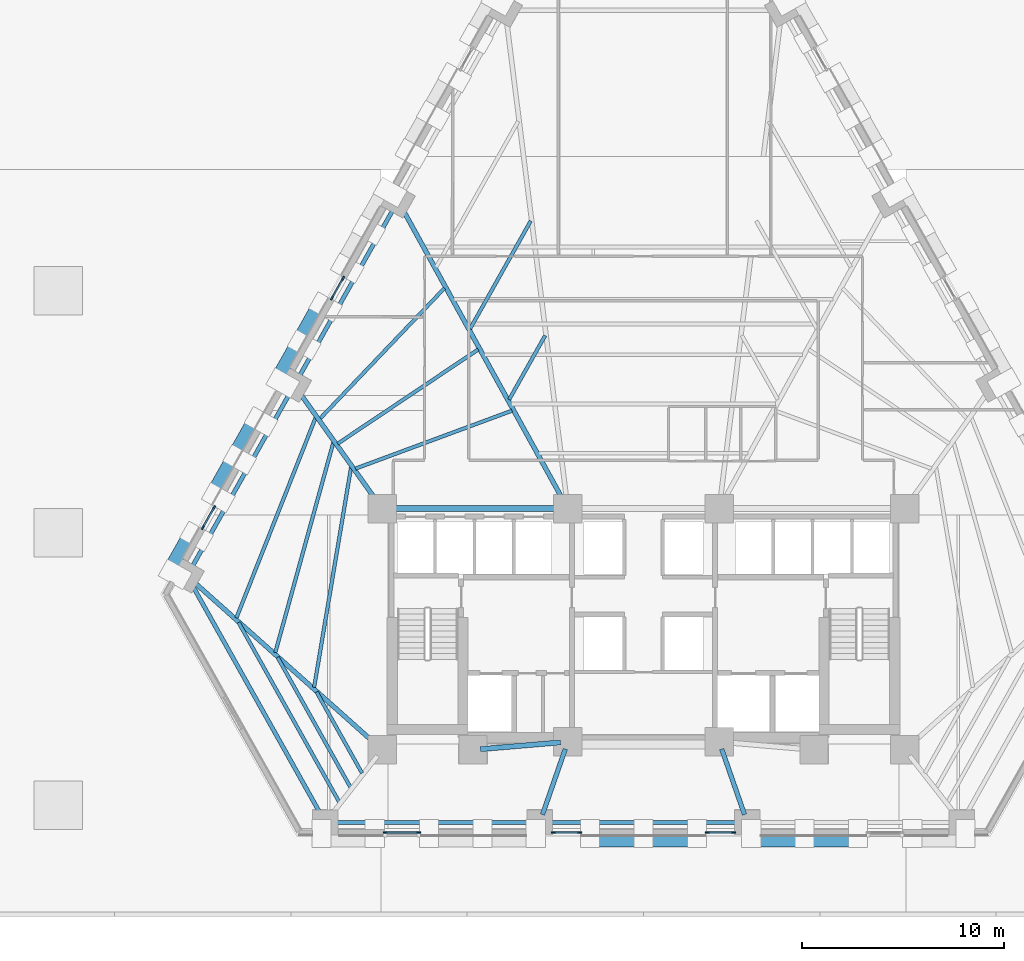
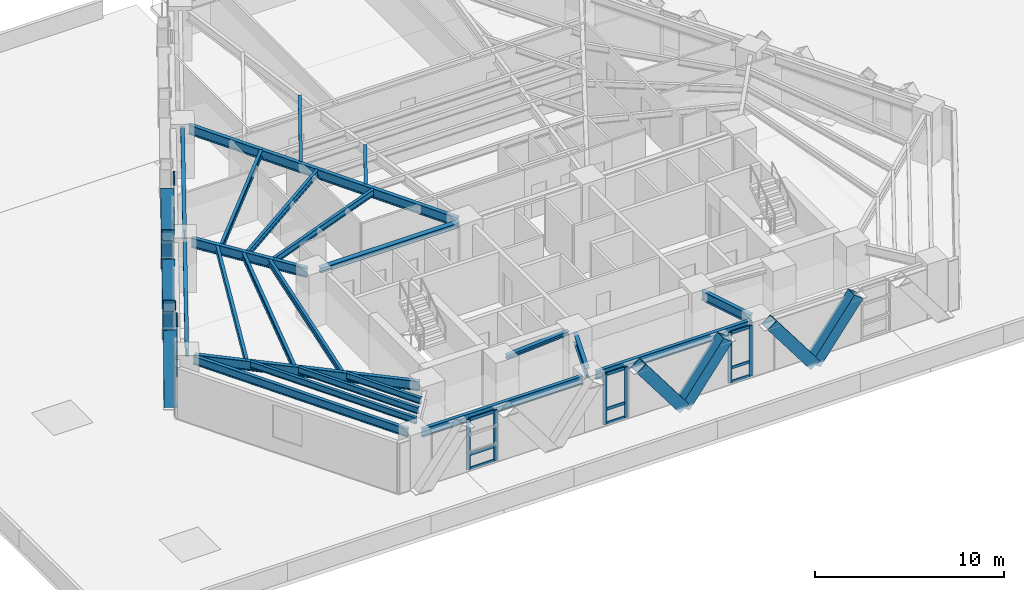
# One storey, part 2 of 14: 34 members, 23 beams, 5 elements without a shape of their own.
"""IFC4 building model written with IfcOpenShell, lengths in metres."""

import ifcopenshell
import ifcopenshell.guid

model = None  # the IFC model being written
_history = None  # IfcOwnerHistory: only IFC2X3 demands one
_inside = {}  # id of a spatial element -> (the spatial element, [elements in it])
_under = {}  # id of a project, library or spatial element -> (it, [spatial elements below it])
_declared = {}  # id of a project -> (the project, [libraries it declares])
_typed = {}  # id of a type object -> (the type object, [elements of that type])
_made_of = {}  # id of a material, layer set ... -> (it, [elements and type objects made of it])


def new_model(schema):
    """Start an empty IFC model of exactly this schema.

    Asked for "IFC4X3", IfcOpenShell would pick the latest addendum, in which some entities
    have other attributes; the version numbers below select the first issue.
    IFC2X3 requires an IfcOwnerHistory on every rooted entity: one is made here for all.
    """
    global model, _history
    if schema == "IFC4X3":
        model = ifcopenshell.file(schema_version=(4, 3, 0, 0))
    else:
        model = ifcopenshell.file(schema=schema)
    _inside.clear()
    _under.clear()
    _declared.clear()
    _typed.clear()
    _made_of.clear()
    _history = None
    if model.schema == "IFC2X3":
        org = make("IfcOrganization", Name="unknown")
        user = make(
            "IfcPersonAndOrganization",
            ThePerson=make("IfcPerson", FamilyName="unknown"),
            TheOrganization=org,
        )
        app = make(
            "IfcApplication",
            ApplicationDeveloper=org,
            Version="unknown",
            ApplicationFullName="unknown",
            ApplicationIdentifier="unknown",
        )
        _history = make(
            "IfcOwnerHistory",
            OwningUser=user,
            OwningApplication=app,
            ChangeAction="ADDED",
            CreationDate=0,
        )
    return model


def make(cls, **values):
    """One entity of the class cls with the attributes given. An attribute that is None is left unset."""
    return model.create_entity(
        cls, **{name: value for name, value in values.items() if value is not None}
    )


def rooted(cls, **values):
    """An entity with a GlobalId (a new one), such as an element, a storey or a relation."""
    return make(cls, GlobalId=ifcopenshell.guid.new(), OwnerHistory=_history, **values)


def si_unit(unit_type, name, prefix=None):
    """IfcSIUnit, for example si_unit("LENGTHUNIT", "METRE", prefix="MILLI")."""
    return make("IfcSIUnit", UnitType=unit_type, Prefix=prefix, Name=name)


def assignment(units):
    """IfcUnitAssignment: the units of a project."""
    return None if units is None else make("IfcUnitAssignment", Units=units)


def point(xyz):
    """IfcCartesianPoint."""
    return None if xyz is None else make("IfcCartesianPoint", Coordinates=xyz)


def direction(xyz):
    """IfcDirection."""
    return None if xyz is None else make("IfcDirection", DirectionRatios=xyz)


def frame(location, z_axis=None, x_axis=None):
    """IfcAxis2Placement3D, a coordinate frame: its origin and axes. An axis left out is left unset."""
    return make(
        "IfcAxis2Placement3D",
        Location=point(location),
        Axis=direction(z_axis),
        RefDirection=direction(x_axis),
    )


def frame_2d(location, x_axis=None):
    """IfcAxis2Placement2D, a coordinate frame in the plane: its origin and x axis."""
    return make(
        "IfcAxis2Placement2D", Location=point(location), RefDirection=direction(x_axis)
    )


def origin():
    """The frame at (0, 0, 0) with its axes left unset."""
    return frame((0.0, 0.0, 0.0))


def origin_2d():
    """The frame at (0, 0) in the plane with its x axis left unset."""
    return frame_2d((0.0, 0.0))


def place(relative_to, where):
    """IfcLocalPlacement: puts the frame where relative to a parent placement (None: the world)."""
    return make(
        "IfcLocalPlacement", PlacementRelTo=relative_to, RelativePlacement=where
    )


def context(
    kind, dimensions, precision=None, world=None, true_north=None, identifier=None
):
    """IfcGeometricRepresentationContext, for example the 3D "Model" context."""
    return make(
        "IfcGeometricRepresentationContext",
        ContextIdentifier=identifier,
        ContextType=kind,
        CoordinateSpaceDimension=dimensions,
        Precision=precision,
        WorldCoordinateSystem=world,
        TrueNorth=true_north,
    )


def subcontext(parent, identifier, kind, view, scale=None):
    """IfcGeometricRepresentationSubContext, for example "Body" below "Model"."""
    return make(
        "IfcGeometricRepresentationSubContext",
        ContextIdentifier=identifier,
        ContextType=kind,
        ParentContext=parent,
        TargetScale=scale,
        TargetView=view,
    )


def project(units=None, contexts=None):
    """IfcProject with its units and contexts."""
    return rooted(
        "IfcProject",
        Name="project",
        RepresentationContexts=contexts,
        UnitsInContext=assignment(units),
    )


def spatial(cls, under=None, at=None, **own):
    """A site, building, storey or space (cls), placed at a placement, below another one or the project."""
    s = rooted(cls, ObjectPlacement=at, **own)
    if under is not None:
        _under.setdefault(under.id(), (under, []))[1].append(s)
    return s


def profile(cls, at=None, kind="AREA", **sizes):
    """A parametric profile (cls). Its sizes go by their IFC names, for example OverallWidth=200.0."""
    return make(cls, ProfileType=kind, Position=at, **sizes)


def rectangle(**sizes):
    """IfcRectangleProfileDef."""
    return profile("IfcRectangleProfileDef", **sizes)


def hollow_rectangle(**sizes):
    """IfcRectangleHollowProfileDef."""
    return profile("IfcRectangleHollowProfileDef", **sizes)


def i_section(**sizes):
    """IfcIShapeProfileDef."""
    return profile("IfcIShapeProfileDef", **sizes)


def extrude(swept, where, along, depth):
    """IfcExtrudedAreaSolid: the profile swept, set in the frame where, extruded along a direction by depth."""
    return make(
        "IfcExtrudedAreaSolid",
        SweptArea=swept,
        Position=where,
        ExtrudedDirection=direction(along),
        Depth=depth,
    )


def shape(context_of_items, identifier, shape_type, items):
    """IfcShapeRepresentation: the items that make up one representation, for example the "Body"."""
    return make(
        "IfcShapeRepresentation",
        ContextOfItems=context_of_items,
        RepresentationIdentifier=identifier,
        RepresentationType=shape_type,
        Items=items,
    )


def material(Name=None, Category=None):
    """IfcMaterial."""
    return make("IfcMaterial", Name=Name, Category=Category)


def material_profile(
    of_material, cross_section, Name=None, Category=None, Priority=None
):
    """IfcMaterialProfile: a cross section and its material."""
    return make(
        "IfcMaterialProfile",
        Name=Name,
        Material=of_material,
        Profile=cross_section,
        Priority=Priority,
        Category=Category,
    )


def profile_set(profiles, Name=None, composite=None):
    """IfcMaterialProfileSet."""
    return make(
        "IfcMaterialProfileSet",
        Name=Name,
        MaterialProfiles=profiles,
        CompositeProfile=composite,
    )


def made_of(thing, what):
    """Note that an element or type object is made of a material, layer set ...; save() writes the relation."""
    if what is not None:
        _made_of.setdefault(what.id(), (what, []))[1].append(thing)
    return thing


def type_object(cls, material=None, **own):
    """A type object (cls), such as IfcWallType, which elements share."""
    return made_of(rooted(cls, **own), material)


def element(
    cls,
    number,
    at=None,
    inside=None,
    cuts=None,
    type_object=None,
    material=None,
    context=None,
    identifier="Body",
    shape_type=None,
    held_by="IfcProductDefinitionShape",
    body=None,
    shapes=None,
    **own,
):
    """One element of the class cls, such as IfcWall. Its Tag is "e" and its number.

    at: its placement. inside: the storey or other place that contains it. cuts: it is an
    opening in that element (IfcRelVoidsElement). A single representation is given by context,
    identifier, shape_type and body (its items); several are given by shapes. held_by: the class
    of the entity that holds the representations. save() writes the other relations.
    """
    e = rooted(cls, Tag="e%d" % number, ObjectPlacement=at, **own)
    if body is not None:
        shapes = [shape(context, identifier, shape_type, body)]
    if shapes is not None:
        e.Representation = make(held_by, Representations=shapes)
    if inside is not None:
        _inside.setdefault(inside.id(), (inside, []))[1].append(e)
    if cuts is not None:
        rooted(
            "IfcRelVoidsElement", RelatingBuildingElement=cuts, RelatedOpeningElement=e
        )
    if type_object is not None:
        _typed.setdefault(type_object.id(), (type_object, []))[1].append(e)
    return made_of(e, material)


def aggregate(whole, parts):
    """IfcRelAggregates: a whole, such as a stair, and the parts it consists of."""
    return rooted("IfcRelAggregates", RelatingObject=whole, RelatedObjects=parts)


def save(model, path):
    """Write the relations noted so far, then the file.

    IfcRelAggregates (storeys below a building ...), IfcRelContainedInSpatialStructure (elements
    in a storey), IfcRelDefinesByType, IfcRelAssociatesMaterial and IfcRelDeclares: one each for
    every whole, place, type object, material and project.
    """
    for whole, parts in _under.values():
        aggregate(whole, parts)
    for where, things in _inside.values():
        rooted(
            "IfcRelContainedInSpatialStructure",
            RelatedElements=things,
            RelatingStructure=where,
        )
    for kind, things in _typed.values():
        rooted("IfcRelDefinesByType", RelatedObjects=things, RelatingType=kind)
    for what, things in _made_of.values():
        rooted("IfcRelAssociatesMaterial", RelatedObjects=things, RelatingMaterial=what)
    for by, libraries in _declared.values():
        rooted("IfcRelDeclares", RelatingContext=by, RelatedDefinitions=libraries)
    model.write(path)


model = new_model("IFC4")

# Units and contexts
model_context = context("Model", 3, precision=1e-05, world=origin(), true_north=direction((0.0, 1.0)))
body_context = subcontext(model_context, "Body", "Model", "MODEL_VIEW")
ifc_project = project(units=[si_unit("LENGTHUNIT", "METRE"), si_unit("AREAUNIT", "SQUARE_METRE"), si_unit("VOLUMEUNIT", "CUBIC_METRE"), si_unit("PLANEANGLEUNIT", "RADIAN"), si_unit("MASSUNIT", "GRAM", prefix="KILO")], contexts=[model_context])

# Site, building, storey
site_placement = place(None, origin())
site = spatial("IfcSite", under=ifc_project, at=site_placement, CompositionType="ELEMENT")
building_placement = place(site_placement, origin())
building = spatial("IfcBuilding", under=site, at=building_placement, Name="Quenlor Broadcast Tower", CompositionType="ELEMENT")
storey_placement = place(building_placement, frame((0.0, 0.0, 27.60009765625)))
storey = spatial("IfcBuildingStorey", under=building, at=storey_placement, Name="L06", CompositionType="ELEMENT", Elevation=27.60009765625)

# Curtain wall, members
ifc_material_1 = material(Name="Architectural Terracotta and Low-E Glazing", Category="masonry")
curtain_wall_type = type_object("IfcCurtainWallType", Name="Unitised Terracotta Curtain Wall System Z1", PredefinedType="NOTDEFINED", material=ifc_material_1)
curtain_wall_1_placement = place(storey_placement, origin())
curtain_wall_1 = element("IfcCurtainWall", 1, at=curtain_wall_1_placement, inside=storey, type_object=curtain_wall_type, Name="L06 Curtain Wall CW1 (L06-SC-G1)", PredefinedType="NOTDEFINED")
ifc_material_2 = material(Name="Aluminium 6063-T6", Category="aluminium")
ifc_material_profile_1 = material_profile(ifc_material_2, rectangle(XDim=0.080078125, YDim=0.219970703125, at=origin_2d()))
ifc_profile_set_1 = profile_set([ifc_material_profile_1], Name="Aluminium 6063-T6 MULL80x220")
member_type_1 = type_object("IfcMemberType", Name="CW1 Aluminium Mullion MULL_CW1", PredefinedType="MULLION", material=ifc_profile_set_1)
member_1_placement = place(storey_placement, frame((-11.146484375, -20.840087890625, 0.0), z_axis=(0.0, 0.0, 1.0), x_axis=(0.0, -1.0, 0.0)))
member_1 = element("IfcMember", 2, at=member_1_placement, type_object=member_type_1, Name="CW1 mullion 1", PredefinedType="MULLION", context=body_context, shape_type="SweptSolid", body=[
    extrude(rectangle(XDim=0.080078125, YDim=0.219970703125, at=origin_2d()), origin(), (0.0, 0.0, 1.0), 3.25),
])
member_2_placement = place(storey_placement, frame((-12.794921875, -20.840087890625, 0.0), z_axis=(0.0, 0.0, 1.0), x_axis=(0.0, -1.0, 0.0)))
member_2 = element("IfcMember", 3, at=member_2_placement, type_object=member_type_1, Name="CW1 mullion 2", PredefinedType="MULLION", context=body_context, shape_type="SweptSolid", body=[
    extrude(rectangle(XDim=0.080078125, YDim=0.219970703125, at=origin_2d()), origin(), (0.0, 0.0, 1.0), 3.25),
])

curtain_wall_2_placement = place(storey_placement, origin())
curtain_wall_2 = element("IfcCurtainWall", 4, at=curtain_wall_2_placement, inside=storey, type_object=curtain_wall_type, Name="L06 Curtain Wall CW1 (L06-S-G1)", PredefinedType="NOTDEFINED")
member_3_placement = place(storey_placement, frame((4.455810546875, -20.840087890625, 0.0), z_axis=(0.0, 0.0, 1.0), x_axis=(0.0, -1.0, 0.0)))
member_3 = element("IfcMember", 5, at=member_3_placement, type_object=member_type_1, Name="CW1 mullion 1", PredefinedType="MULLION", context=body_context, shape_type="SweptSolid", body=[
    extrude(rectangle(XDim=0.080078125, YDim=0.219970703125, at=origin_2d()), origin(), (0.0, 0.0, 1.0), 3.25),
])
member_4_placement = place(storey_placement, frame((3.166015625, -20.840087890625, 0.0), z_axis=(0.0, 0.0, 1.0), x_axis=(0.0, -1.0, 0.0)))
member_4 = element("IfcMember", 6, at=member_4_placement, type_object=member_type_1, Name="CW1 mullion 2", PredefinedType="MULLION", context=body_context, shape_type="SweptSolid", body=[
    extrude(rectangle(XDim=0.080078125, YDim=0.219970703125, at=origin_2d()), origin(), (0.0, 0.0, 1.0), 3.25),
])

curtain_wall_3_placement = place(storey_placement, origin())
curtain_wall_3 = element("IfcCurtainWall", 7, at=curtain_wall_3_placement, inside=storey, type_object=curtain_wall_type, Name="L06 Curtain Wall CW1 (L06-S-G2)", PredefinedType="NOTDEFINED")
member_5_placement = place(storey_placement, frame((-3.166015625, -20.840087890625, 0.0), z_axis=(0.0, 0.0, 1.0), x_axis=(0.0, -1.0, 0.0)))
member_5 = element("IfcMember", 8, at=member_5_placement, type_object=member_type_1, Name="CW1 mullion 1", PredefinedType="MULLION", context=body_context, shape_type="SweptSolid", body=[
    extrude(rectangle(XDim=0.080078125, YDim=0.219970703125, at=origin_2d()), origin(), (0.0, 0.0, 1.0), 3.25),
])
member_6_placement = place(storey_placement, frame((-4.455810546875, -20.840087890625, 0.0), z_axis=(0.0, 0.0, 1.0), x_axis=(0.0, -1.0, 0.0)))
member_6 = element("IfcMember", 9, at=member_6_placement, type_object=member_type_1, Name="CW1 mullion 2", PredefinedType="MULLION", context=body_context, shape_type="SweptSolid", body=[
    extrude(rectangle(XDim=0.080078125, YDim=0.219970703125, at=origin_2d()), origin(), (0.0, 0.0, 1.0), 3.25),
])

curtain_wall_4_placement = place(storey_placement, origin())
curtain_wall_4 = element("IfcCurtainWall", 10, at=curtain_wall_4_placement, inside=storey, type_object=curtain_wall_type, Name="L06 Curtain Wall CW1 (L06-NWA-G1)", PredefinedType="NOTDEFINED")
member_7_placement = place(storey_placement, frame((-21.830810546875, -5.73681640625, 0.0), z_axis=(0.0, 0.0, 1.0), x_axis=(-0.871566703483, 0.490276943553, 0.0)))
member_7 = element("IfcMember", 11, at=member_7_placement, type_object=member_type_1, Name="CW1 mullion 1", PredefinedType="MULLION", context=body_context, shape_type="SweptSolid", body=[
    extrude(rectangle(XDim=0.080078125, YDim=0.219970703125, at=origin_2d()), origin(), (0.0, 0.0, 1.0), 3.25),
])
member_8_placement = place(storey_placement, frame((-21.277099609375, -4.75244140625, 0.0), z_axis=(0.0, 0.0, 1.0), x_axis=(-0.871566703483, 0.490276943553, 0.0)))
member_8 = element("IfcMember", 12, at=member_8_placement, type_object=member_type_1, Name="CW1 mullion 2", PredefinedType="MULLION", context=body_context, shape_type="SweptSolid", body=[
    extrude(rectangle(XDim=0.080078125, YDim=0.219970703125, at=origin_2d()), origin(), (0.0, 0.0, 1.0), 3.25),
])

curtain_wall_5_placement = place(storey_placement, origin())
curtain_wall_5 = element("IfcCurtainWall", 13, at=curtain_wall_5_placement, inside=storey, type_object=curtain_wall_type, Name="L06 Curtain Wall CW1 (L06-NW-G1)", PredefinedType="NOTDEFINED")
member_9_placement = place(storey_placement, frame((-15.4375, 5.62939453125, 0.0), z_axis=(0.0, 0.0, 1.0), x_axis=(-0.871566703483, 0.490276943553, 0.0)))
member_9 = element("IfcMember", 14, at=member_9_placement, type_object=member_type_1, Name="CW1 mullion 1", PredefinedType="MULLION", context=body_context, shape_type="SweptSolid", body=[
    extrude(rectangle(XDim=0.080078125, YDim=0.219970703125, at=origin_2d()), origin(), (0.0, 0.0, 1.0), 3.25),
])
member_10_placement = place(storey_placement, frame((-14.8837890625, 6.61376953125, 0.0), z_axis=(0.0, 0.0, 1.0), x_axis=(-0.871566703483, 0.490276943553, 0.0)))
member_10 = element("IfcMember", 15, at=member_10_placement, type_object=member_type_1, Name="CW1 mullion 2", PredefinedType="MULLION", context=body_context, shape_type="SweptSolid", body=[
    extrude(rectangle(XDim=0.080078125, YDim=0.219970703125, at=origin_2d()), origin(), (0.0, 0.0, 1.0), 3.25),
])

# Member
ifc_material_3 = material(Name="Aluminium 6063-T6", Category="aluminium")
ifc_material_profile_2 = material_profile(ifc_material_3, rectangle(XDim=0.080078125, YDim=0.179931640625, at=origin_2d()))
ifc_profile_set_2 = profile_set([ifc_material_profile_2], Name="Aluminium 6063-T6 TRAN80x180")
member_type_2 = type_object("IfcMemberType", Name="CW1 Aluminium Transom TRAN_CW1", PredefinedType="USERDEFINED", material=ifc_profile_set_2)
member_11_placement = place(storey_placement, frame((-11.1865234375, -20.840087890625, 0.039794921875), z_axis=(-1.0, 0.0, 0.0), x_axis=(0.0, -1.0, 0.0)))
member_11 = element("IfcMember", 16, at=member_11_placement, type_object=member_type_2, Name="CW1 transom 1.1", ObjectType="TRANSOM", PredefinedType="USERDEFINED", context=body_context, shape_type="SweptSolid", body=[
    extrude(rectangle(XDim=0.080078125, YDim=0.179931640625, at=origin_2d()), origin(), (0.0, 0.0, 1.0), 1.568359375),
])

member_12_placement = place(storey_placement, frame((-11.1865234375, -20.840087890625, 0.949951171875), z_axis=(-1.0, 0.0, 0.0), x_axis=(0.0, -1.0, 0.0)))
member_12 = element("IfcMember", 17, at=member_12_placement, type_object=member_type_2, Name="CW1 transom 1.2", ObjectType="TRANSOM", PredefinedType="USERDEFINED", context=body_context, shape_type="SweptSolid", body=[
    extrude(rectangle(XDim=0.080078125, YDim=0.179931640625, at=origin_2d()), origin(), (0.0, 0.0, 1.0), 1.568359375),
])

member_13_placement = place(storey_placement, frame((-11.1865234375, -20.840087890625, 3.2099609375), z_axis=(-1.0, 0.0, 0.0), x_axis=(0.0, -1.0, 0.0)))
member_13 = element("IfcMember", 18, at=member_13_placement, type_object=member_type_2, Name="CW1 transom 1.3", ObjectType="TRANSOM", PredefinedType="USERDEFINED", context=body_context, shape_type="SweptSolid", body=[
    extrude(rectangle(XDim=0.080078125, YDim=0.179931640625, at=origin_2d()), origin(), (0.0, 0.0, 1.0), 1.568359375),
])

aggregate(curtain_wall_1, [member_1, member_2, member_11, member_12, member_13])

member_14_placement = place(storey_placement, frame((4.415771484375, -20.840087890625, 0.039794921875), z_axis=(-1.0, 0.0, 0.0), x_axis=(0.0, -1.0, 0.0)))
member_14 = element("IfcMember", 19, at=member_14_placement, type_object=member_type_2, Name="CW1 transom 1.1", ObjectType="TRANSOM", PredefinedType="USERDEFINED", context=body_context, shape_type="SweptSolid", body=[
    extrude(rectangle(XDim=0.080078125, YDim=0.179931640625, at=origin_2d()), origin(), (0.0, 0.0, 1.0), 1.209716796875),
])

member_15_placement = place(storey_placement, frame((4.415771484375, -20.840087890625, 0.949951171875), z_axis=(-1.0, 0.0, 0.0), x_axis=(0.0, -1.0, 0.0)))
member_15 = element("IfcMember", 20, at=member_15_placement, type_object=member_type_2, Name="CW1 transom 1.2", ObjectType="TRANSOM", PredefinedType="USERDEFINED", context=body_context, shape_type="SweptSolid", body=[
    extrude(rectangle(XDim=0.080078125, YDim=0.179931640625, at=origin_2d()), origin(), (0.0, 0.0, 1.0), 1.209716796875),
])

member_16_placement = place(storey_placement, frame((4.415771484375, -20.840087890625, 3.2099609375), z_axis=(-1.0, 0.0, 0.0), x_axis=(0.0, -1.0, 0.0)))
member_16 = element("IfcMember", 21, at=member_16_placement, type_object=member_type_2, Name="CW1 transom 1.3", ObjectType="TRANSOM", PredefinedType="USERDEFINED", context=body_context, shape_type="SweptSolid", body=[
    extrude(rectangle(XDim=0.080078125, YDim=0.179931640625, at=origin_2d()), origin(), (0.0, 0.0, 1.0), 1.209716796875),
])

aggregate(curtain_wall_2, [member_3, member_4, member_14, member_15, member_16])

member_17_placement = place(storey_placement, frame((-3.2060546875, -20.840087890625, 0.039794921875), z_axis=(-1.0, 0.0, 0.0), x_axis=(0.0, -1.0, 0.0)))
member_17 = element("IfcMember", 22, at=member_17_placement, type_object=member_type_2, Name="CW1 transom 1.1", ObjectType="TRANSOM", PredefinedType="USERDEFINED", context=body_context, shape_type="SweptSolid", body=[
    extrude(rectangle(XDim=0.080078125, YDim=0.179931640625, at=origin_2d()), origin(), (0.0, 0.0, 1.0), 1.209716796875),
])

member_18_placement = place(storey_placement, frame((-3.2060546875, -20.840087890625, 0.949951171875), z_axis=(-1.0, 0.0, 0.0), x_axis=(0.0, -1.0, 0.0)))
member_18 = element("IfcMember", 23, at=member_18_placement, type_object=member_type_2, Name="CW1 transom 1.2", ObjectType="TRANSOM", PredefinedType="USERDEFINED", context=body_context, shape_type="SweptSolid", body=[
    extrude(rectangle(XDim=0.080078125, YDim=0.179931640625, at=origin_2d()), origin(), (0.0, 0.0, 1.0), 1.209716796875),
])

member_19_placement = place(storey_placement, frame((-3.2060546875, -20.840087890625, 3.2099609375), z_axis=(-1.0, 0.0, 0.0), x_axis=(0.0, -1.0, 0.0)))
member_19 = element("IfcMember", 24, at=member_19_placement, type_object=member_type_2, Name="CW1 transom 1.3", ObjectType="TRANSOM", PredefinedType="USERDEFINED", context=body_context, shape_type="SweptSolid", body=[
    extrude(rectangle(XDim=0.080078125, YDim=0.179931640625, at=origin_2d()), origin(), (0.0, 0.0, 1.0), 1.209716796875),
])

aggregate(curtain_wall_3, [member_5, member_6, member_17, member_18, member_19])

member_20_placement = place(storey_placement, frame((-21.811279296875, -5.701904296875, 0.039794921875), z_axis=(0.490239146026, 0.87158796441, 0.0), x_axis=(-0.87158796441, 0.490239146026, 0.0)))
member_20 = element("IfcMember", 25, at=member_20_placement, type_object=member_type_2, Name="CW1 transom 1.1", ObjectType="TRANSOM", PredefinedType="USERDEFINED", context=body_context, shape_type="SweptSolid", body=[
    extrude(rectangle(XDim=0.080078125, YDim=0.179931640625, at=origin_2d()), origin(), (0.0, 0.0, 1.0), 1.04931640625),
])

member_21_placement = place(storey_placement, frame((-21.811279296875, -5.701904296875, 0.949951171875), z_axis=(0.490239146026, 0.87158796441, 0.0), x_axis=(-0.87158796441, 0.490239146026, 0.0)))
member_21 = element("IfcMember", 26, at=member_21_placement, type_object=member_type_2, Name="CW1 transom 1.2", ObjectType="TRANSOM", PredefinedType="USERDEFINED", context=body_context, shape_type="SweptSolid", body=[
    extrude(rectangle(XDim=0.080078125, YDim=0.179931640625, at=origin_2d()), origin(), (0.0, 0.0, 1.0), 1.04931640625),
])

member_22_placement = place(storey_placement, frame((-21.811279296875, -5.701904296875, 3.2099609375), z_axis=(0.490239146026, 0.87158796441, 0.0), x_axis=(-0.87158796441, 0.490239146026, 0.0)))
member_22 = element("IfcMember", 27, at=member_22_placement, type_object=member_type_2, Name="CW1 transom 1.3", ObjectType="TRANSOM", PredefinedType="USERDEFINED", context=body_context, shape_type="SweptSolid", body=[
    extrude(rectangle(XDim=0.080078125, YDim=0.179931640625, at=origin_2d()), origin(), (0.0, 0.0, 1.0), 1.04931640625),
])

aggregate(curtain_wall_4, [member_7, member_8, member_20, member_21, member_22])

member_23_placement = place(storey_placement, frame((-15.417724609375, 5.664306640625, 0.039794921875), z_axis=(0.490239146026, 0.87158796441, 0.0), x_axis=(-0.87158796441, 0.490239146026, 0.0)))
member_23 = element("IfcMember", 28, at=member_23_placement, type_object=member_type_2, Name="CW1 transom 1.1", ObjectType="TRANSOM", PredefinedType="USERDEFINED", context=body_context, shape_type="SweptSolid", body=[
    extrude(rectangle(XDim=0.080078125, YDim=0.179931640625, at=origin_2d()), origin(), (0.0, 0.0, 1.0), 1.04931640625),
])

member_24_placement = place(storey_placement, frame((-15.417724609375, 5.664306640625, 0.949951171875), z_axis=(0.490239146026, 0.87158796441, 0.0), x_axis=(-0.87158796441, 0.490239146026, 0.0)))
member_24 = element("IfcMember", 29, at=member_24_placement, type_object=member_type_2, Name="CW1 transom 1.2", ObjectType="TRANSOM", PredefinedType="USERDEFINED", context=body_context, shape_type="SweptSolid", body=[
    extrude(rectangle(XDim=0.080078125, YDim=0.179931640625, at=origin_2d()), origin(), (0.0, 0.0, 1.0), 1.04931640625),
])

member_25_placement = place(storey_placement, frame((-15.417724609375, 5.664306640625, 3.2099609375), z_axis=(0.490239146026, 0.87158796441, 0.0), x_axis=(-0.87158796441, 0.490239146026, 0.0)))
member_25 = element("IfcMember", 30, at=member_25_placement, type_object=member_type_2, Name="CW1 transom 1.3", ObjectType="TRANSOM", PredefinedType="USERDEFINED", context=body_context, shape_type="SweptSolid", body=[
    extrude(rectangle(XDim=0.080078125, YDim=0.179931640625, at=origin_2d()), origin(), (0.0, 0.0, 1.0), 1.04931640625),
])

aggregate(curtain_wall_5, [member_9, member_10, member_23, member_24, member_25])

# Beams
ifc_material_4 = material(Name="Steel S355", Category="steel")
ifc_material_profile_3 = material_profile(ifc_material_4, i_section(OverallWidth=0.25390625, OverallDepth=0.25390625, WebThickness=0.008544921875, FlangeThickness=0.01416015625, FilletRadius=0.013916015625, at=origin_2d()))
ifc_profile_set_3 = profile_set([ifc_material_profile_3], Name="Steel S355 250UC72.9")
beam_type_1 = type_object("IfcBeamType", Name="Core Opening Lintel Beam Steel S355 250UC72.9", PredefinedType="LINTEL", material=ifc_profile_set_3)
beam_1_placement = place(storey_placement, frame((-8.09130859375, -16.719482421875, 3.123046875), z_axis=(0.996399763903, 0.084779186679, 0.0), x_axis=(-0.084779186679, 0.996399763903, 0.0)))
element("IfcBeam", 31, at=beam_1_placement, inside=storey, type_object=beam_type_1, Name="L06 Core Opening Lintel Beam 4", PredefinedType="LINTEL", context=body_context, shape_type="SweptSolid", body=[
    extrude(i_section(OverallWidth=0.25390625, OverallDepth=0.25390625, WebThickness=0.008544921875, FlangeThickness=0.01416015625, FilletRadius=0.013916015625, at=origin_2d()), origin(), (0.0, 0.0, 1.0), 3.9970703125),
])
ifc_material_5 = material(Name="Steel S355", Category="steel")
ifc_material_profile_4 = material_profile(ifc_material_5, i_section(OverallWidth=0.306884765625, OverallDepth=0.314697265625, WebThickness=0.011962890625, FlangeThickness=0.018798828125, FilletRadius=0.0166015625, at=origin_2d()))
ifc_profile_set_4 = profile_set([ifc_material_profile_4], Name="Steel S355 310UC118")
beam_type_2 = type_object("IfcBeamType", Name="Core Tie Beam Steel S355 310UC118", PredefinedType="BEAM", material=ifc_profile_set_4)
beam_2_placement = place(storey_placement, frame((-12.590087890625, -4.800048828125, 3.092529296875), z_axis=(1.0, 0.0, 0.0), x_axis=(0.0, 1.0, 0.0)))
element("IfcBeam", 32, at=beam_2_placement, inside=storey, type_object=beam_type_2, Name="L06 Core Tie Beam 1", PredefinedType="BEAM", context=body_context, shape_type="SweptSolid", body=[
    extrude(i_section(OverallWidth=0.306884765625, OverallDepth=0.314697265625, WebThickness=0.011962890625, FlangeThickness=0.018798828125, FilletRadius=0.0166015625, at=origin_2d()), origin(), (0.0, 0.0, 1.0), 8.47998046875),
])

# Members
ifc_material_6 = material(Name="Steel S355", Category="steel")
ifc_material_profile_5 = material_profile(ifc_material_6, hollow_rectangle(XDim=0.679931640625, YDim=0.679931640625, WallThickness=0.034912109375, at=origin_2d()))
ifc_profile_set_5 = profile_set([ifc_material_profile_5], Name="Steel S355 RHS680x680x35")
member_type_3 = type_object("IfcMemberType", Name="Perimeter Diagonal Lattice Brace Z1 Steel S355 RHS680x35", PredefinedType="BRACE", material=ifc_profile_set_5)
for number, where, z_axis, x_axis, name in (
    (33, (7.99658203125, -21.235107421875, -0.1201171875), (0.600463982679, 0.0, 0.799651802665), (0.0, 1.0, 0.0), "L06 Perimeter Diamond Lattice S-C1B"),
    (34, (7.964599609375, -21.235107421875, -0.1201171875), (-0.60049964856, 0.0, 0.799625019668), (0.0, -1.0, 0.0), "L06 Perimeter Diamond Lattice S-C2S"),
    (35, (0.01611328125, -21.235107421875, -0.1201171875), (0.600463982679, 0.0, 0.799651802665), (0.0, 1.0, 0.0), "L06 Perimeter Diamond Lattice S-C2B"),
    (36, (-0.01611328125, -21.235107421875, -0.1201171875), (-0.600463982679, 0.0, 0.799651802665), (0.0, -1.0, 0.0), "L06 Perimeter Diamond Lattice S-C3S"),
):
    element("IfcMember", number, at=place(storey_placement, frame(where, z_axis=z_axis, x_axis=x_axis)), inside=storey, type_object=member_type_3, Name=name, PredefinedType="BRACE", context=body_context, shape_type="SweptSolid", body=[
        extrude(hollow_rectangle(XDim=0.679931640625, YDim=0.679931640625, WallThickness=0.034912109375, at=origin_2d()), origin(), (0.0, 0.0, 1.0), 4.376953125),
    ])
member_26_placement = place(storey_placement, frame((-23.490234375, -7.88134765625, -0.1201171875), z_axis=(0.256368393635, 0.455838699906, 0.852341672343), x_axis=(-0.871608931644, 0.490201866865, 0.0)))
element("IfcMember", 37, at=member_26_placement, inside=storey, type_object=member_type_3, Name="L06 Perimeter Diamond Lattice NW-C1S", PredefinedType="BRACE", context=body_context, shape_type="SweptSolid", body=[
    extrude(hollow_rectangle(XDim=0.679931640625, YDim=0.679931640625, WallThickness=0.034912109375, at=origin_2d()), origin(), (0.0, 0.0, 1.0), 4.1064453125),
])
for number, where, z_axis, x_axis, name in (
    (38, (-20.306396484375, -2.220947265625, -0.1201171875), (-0.256375341489, -0.45579159737, 0.852364771705), (0.871581609758, -0.490250443683, 0.0), "L06 Perimeter Diamond Lattice NW-C1B"),
    (39, (-20.29345703125, -2.197998046875, -0.1201171875), (0.256375341489, 0.45579159737, 0.852364771705), (-0.871581609758, 0.490250443683, 0.0), "L06 Perimeter Diamond Lattice NW-C2S"),
    (40, (-17.109619140625, 3.46240234375, -0.1201171875), (-0.256375341489, -0.45579159737, 0.852364771705), (0.871581609758, -0.490250443683, 0.0), "L06 Perimeter Diamond Lattice NW-C2B"),
    (41, (-17.0966796875, 3.485107421875, -0.1201171875), (0.256375341489, 0.45579159737, 0.852364771705), (-0.871581609758, 0.490250443683, 0.0), "L06 Perimeter Diamond Lattice NW-C3S"),
):
    element("IfcMember", number, at=place(storey_placement, frame(where, z_axis=z_axis, x_axis=x_axis)), inside=storey, type_object=member_type_3, Name=name, PredefinedType="BRACE", context=body_context, shape_type="SweptSolid", body=[
        extrude(hollow_rectangle(XDim=0.679931640625, YDim=0.679931640625, WallThickness=0.034912109375, at=origin_2d()), origin(), (0.0, 0.0, 1.0), 4.106201171875),
    ])

# Beams
ifc_material_7 = material(Name="Steel S355", Category="steel")
ifc_material_profile_6 = material_profile(ifc_material_7, i_section(OverallWidth=0.208984375, OverallDepth=0.532958984375, WebThickness=0.01025390625, FlangeThickness=0.015625, FilletRadius=0.013916015625, at=origin_2d()))
ifc_profile_set_6 = profile_set([ifc_material_profile_6], Name="Steel S355 530UB92.4")
beam_type_3 = type_object("IfcBeamType", Name="Perimeter Spandrel Beam Z1 Steel S355 530UB92.4", PredefinedType="SPANDREL", material=ifc_profile_set_6)
beam_3_placement = place(storey_placement, frame((-15.35498046875, -20.35009765625, 2.9833984375), z_axis=(1.0, 0.0, 0.0), x_axis=(0.0, 1.0, 0.0)))
element("IfcBeam", 42, at=beam_3_placement, inside=storey, type_object=beam_type_3, Name="L06 Spandrel Beam S1-S2", PredefinedType="SPANDREL", context=body_context, shape_type="SweptSolid", body=[
    extrude(i_section(OverallWidth=0.208984375, OverallDepth=0.532958984375, WebThickness=0.01025390625, FlangeThickness=0.015625, FilletRadius=0.013916015625, at=origin_2d()), origin(), (0.0, 0.0, 1.0), 9.80419921875),
])
beam_4_placement = place(storey_placement, frame((-4.730712890625, -20.35009765625, 2.9833984375), z_axis=(1.0, 0.0, 0.0), x_axis=(0.0, 1.0, 0.0)))
element("IfcBeam", 43, at=beam_4_placement, inside=storey, type_object=beam_type_3, Name="L06 Spandrel Beam S2-S3", PredefinedType="SPANDREL", context=body_context, shape_type="SweptSolid", body=[
    extrude(i_section(OverallWidth=0.208984375, OverallDepth=0.532958984375, WebThickness=0.01025390625, FlangeThickness=0.015625, FilletRadius=0.013916015625, at=origin_2d()), origin(), (0.0, 0.0, 1.0), 9.46142578125),
])
beam_5_placement = place(storey_placement, frame((-12.364013671875, 10.093505859375, 2.9833984375), z_axis=(-0.490257642051, -0.871577560755, 0.0), x_axis=(0.871577560755, -0.490257642051, 0.0)))
element("IfcBeam", 44, at=beam_5_placement, inside=storey, type_object=beam_type_3, Name="L06 Spandrel Beam NW2-NW3", PredefinedType="SPANDREL", context=body_context, shape_type="SweptSolid", body=[
    extrude(i_section(OverallWidth=0.208984375, OverallDepth=0.532958984375, WebThickness=0.01025390625, FlangeThickness=0.015625, FilletRadius=0.013916015625, at=origin_2d()), origin(), (0.0, 0.0, 1.0), 9.665771484375),
])
beam_6_placement = place(storey_placement, frame((-17.5048828125, 0.954345703125, 2.9833984375), z_axis=(-0.490257767622, -0.871577490121, 0.0), x_axis=(0.871577490121, -0.490257767622, 0.0)))
element("IfcBeam", 45, at=beam_6_placement, inside=storey, type_object=beam_type_3, Name="L06 Spandrel Beam NW3-NW4", PredefinedType="SPANDREL", context=body_context, shape_type="SweptSolid", body=[
    extrude(i_section(OverallWidth=0.208984375, OverallDepth=0.532958984375, WebThickness=0.01025390625, FlangeThickness=0.015625, FilletRadius=0.013916015625, at=origin_2d()), origin(), (0.0, 0.0, 1.0), 10.015380859375),
])
beam_7_placement = place(storey_placement, frame((-22.41552734375, -8.48974609375, 2.9833984375), z_axis=(0.489090917871, -0.87223280955, 0.0), x_axis=(0.87223280955, 0.489090917871, 0.0)))
element("IfcBeam", 46, at=beam_7_placement, inside=storey, type_object=beam_type_3, Name="L06 Spandrel Beam NW4-S1", PredefinedType="SPANDREL", context=body_context, shape_type="SweptSolid", body=[
    extrude(i_section(OverallWidth=0.208984375, OverallDepth=0.532958984375, WebThickness=0.01025390625, FlangeThickness=0.015625, FilletRadius=0.013916015625, at=origin_2d()), origin(), (0.0, 0.0, 1.0), 13.187744140625),
])
ifc_material_8 = material(Name="Steel S355", Category="steel")
ifc_material_profile_7 = material_profile(ifc_material_8, i_section(OverallWidth=0.177978515625, OverallDepth=0.406494140625, WebThickness=0.0078125, FlangeThickness=0.0126953125, FilletRadius=0.011474609375, at=origin_2d()))
ifc_profile_set_7 = profile_set([ifc_material_profile_7], Name="Steel S355 410UB59.7")
beam_type_4 = type_object("IfcBeamType", Name="Tower Composite Joist Z1 Steel S355 410UB59.7", PredefinedType="JOIST", material=ifc_profile_set_7)
beam_8_placement = place(storey_placement, frame((-14.268310546875, -2.81640625, 3.046630859375), z_axis=(0.937824633945, 0.347109429383, 0.0), x_axis=(-0.347109429383, 0.937824633945, 0.0)))
element("IfcBeam", 47, at=beam_8_placement, inside=storey, type_object=beam_type_4, Name="L06 Secondary Composite Joist 7", PredefinedType="JOIST", context=body_context, shape_type="SweptSolid", body=[
    extrude(i_section(OverallWidth=0.177978515625, OverallDepth=0.406494140625, WebThickness=0.0078125, FlangeThickness=0.0126953125, FilletRadius=0.011474609375, at=origin_2d()), origin(), (0.0, 0.0, 1.0), 8.26513671875),
])
beam_9_placement = place(storey_placement, frame((-15.147705078125, -1.577392578125, 3.046630859375), z_axis=(0.830625844363, 0.556830949819, 0.0), x_axis=(-0.556830949819, 0.830625844363, 0.0)))
element("IfcBeam", 48, at=beam_9_placement, inside=storey, type_object=beam_type_4, Name="L06 Secondary Composite Joist 8", PredefinedType="JOIST", context=body_context, shape_type="SweptSolid", body=[
    extrude(i_section(OverallWidth=0.177978515625, OverallDepth=0.406494140625, WebThickness=0.0078125, FlangeThickness=0.0126953125, FilletRadius=0.011474609375, at=origin_2d()), origin(), (0.0, 0.0, 1.0), 8.374755859375),
])
beam_10_placement = place(storey_placement, frame((-16.029541015625, -0.341796875, 3.046630859375), z_axis=(0.690241086162, 0.723579465556, 0.0), x_axis=(-0.723579465556, 0.690241086162, 0.0)))
element("IfcBeam", 49, at=beam_10_placement, inside=storey, type_object=beam_type_4, Name="L06 Secondary Composite Joist 9", PredefinedType="JOIST", context=body_context, shape_type="SweptSolid", body=[
    extrude(i_section(OverallWidth=0.177978515625, OverallDepth=0.406494140625, WebThickness=0.0078125, FlangeThickness=0.0126953125, FilletRadius=0.011474609375, at=origin_2d()), origin(), (0.0, 0.0, 1.0), 8.93408203125),
])
beam_11_placement = place(storey_placement, frame((-16.31982421875, -13.65478515625, 3.046630859375), z_axis=(0.16559360599, 0.986194077074, 0.0), x_axis=(-0.986194077074, 0.16559360599, 0.0)))
element("IfcBeam", 50, at=beam_11_placement, inside=storey, type_object=beam_type_4, Name="L06 Secondary Composite Joist 13", PredefinedType="JOIST", context=body_context, shape_type="SweptSolid", body=[
    extrude(i_section(OverallWidth=0.177978515625, OverallDepth=0.406494140625, WebThickness=0.0078125, FlangeThickness=0.0126953125, FilletRadius=0.011474609375, at=origin_2d()), origin(), (0.0, 0.0, 1.0), 11.06787109375),
])
beam_12_placement = place(storey_placement, frame((-18.2451171875, -11.93310546875, 3.046630859375), z_axis=(0.266390054368, 0.963865311615, 0.0), x_axis=(-0.963865311615, 0.266390054368, 0.0)))
element("IfcBeam", 51, at=beam_12_placement, inside=storey, type_object=beam_type_4, Name="L06 Secondary Composite Joist 14", PredefinedType="JOIST", context=body_context, shape_type="SweptSolid", body=[
    extrude(i_section(OverallWidth=0.177978515625, OverallDepth=0.406494140625, WebThickness=0.0078125, FlangeThickness=0.0126953125, FilletRadius=0.011474609375, at=origin_2d()), origin(), (0.0, 0.0, 1.0), 10.80810546875),
])
beam_13_placement = place(storey_placement, frame((-20.170166015625, -10.212158203125, 3.046630859375), z_axis=(0.367884833597, 0.929871361646, 0.0), x_axis=(-0.929871361646, 0.367884833597, 0.0)))
element("IfcBeam", 52, at=beam_13_placement, inside=storey, type_object=beam_type_4, Name="L06 Secondary Composite Joist 15", PredefinedType="JOIST", context=body_context, shape_type="SweptSolid", body=[
    extrude(i_section(OverallWidth=0.177978515625, OverallDepth=0.406494140625, WebThickness=0.0078125, FlangeThickness=0.0126953125, FilletRadius=0.011474609375, at=origin_2d()), origin(), (0.0, 0.0, 1.0), 10.669921875),
])
beam_14_placement = place(storey_placement, frame((-13.9462890625, -17.904296875, 3.046630859375), z_axis=(-0.489062021968, 0.872249011848, 0.0), x_axis=(-0.872249011848, -0.489062021968, 0.0)))
element("IfcBeam", 53, at=beam_14_placement, inside=storey, type_object=beam_type_4, Name="L06 Secondary Composite Joist 19", PredefinedType="JOIST", context=body_context, shape_type="SweptSolid", body=[
    extrude(i_section(OverallWidth=0.177978515625, OverallDepth=0.406494140625, WebThickness=0.0078125, FlangeThickness=0.0126953125, FilletRadius=0.011474609375, at=origin_2d()), origin(), (0.0, 0.0, 1.0), 4.6025390625),
])
beam_15_placement = place(storey_placement, frame((-14.50927734375, -18.624267578125, 3.046630859375), z_axis=(-0.489088249322, 0.872234305892, 0.0), x_axis=(-0.872234305892, -0.489088249322, 0.0)))
element("IfcBeam", 54, at=beam_15_placement, inside=storey, type_object=beam_type_4, Name="L06 Secondary Composite Joist 20", PredefinedType="JOIST", context=body_context, shape_type="SweptSolid", body=[
    extrude(i_section(OverallWidth=0.177978515625, OverallDepth=0.406494140625, WebThickness=0.0078125, FlangeThickness=0.0126953125, FilletRadius=0.011474609375, at=origin_2d()), origin(), (0.0, 0.0, 1.0), 7.404296875),
])
beam_16_placement = place(storey_placement, frame((-15.072265625, -19.34423828125, 3.046630859375), z_axis=(-0.489081877778, 0.872237878579, 0.0), x_axis=(-0.872237878579, -0.489081877778, 0.0)))
element("IfcBeam", 55, at=beam_16_placement, inside=storey, type_object=beam_type_4, Name="L06 Secondary Composite Joist 21", PredefinedType="JOIST", context=body_context, shape_type="SweptSolid", body=[
    extrude(i_section(OverallWidth=0.177978515625, OverallDepth=0.406494140625, WebThickness=0.0078125, FlangeThickness=0.0126953125, FilletRadius=0.011474609375, at=origin_2d()), origin(), (0.0, 0.0, 1.0), 10.205810546875),
])
beam_17_placement = place(storey_placement, frame((-4.87451171875, 3.7734375, 3.046630859375), z_axis=(-0.490286766726, -0.871561177642, 0.0), x_axis=(0.871561177642, -0.490286766726, 0.0)))
element("IfcBeam", 56, at=beam_17_placement, inside=storey, type_object=beam_type_4, Name="L06 Secondary Composite Joist 25", PredefinedType="JOIST", context=body_context, shape_type="SweptSolid", body=[
    extrude(i_section(OverallWidth=0.177978515625, OverallDepth=0.406494140625, WebThickness=0.0078125, FlangeThickness=0.0126953125, FilletRadius=0.011474609375, at=origin_2d()), origin(), (0.0, 0.0, 1.0), 3.632568359375),
])
beam_18_placement = place(storey_placement, frame((-5.587646484375, 9.453125, 3.046630859375), z_axis=(-0.490276380443, -0.871567020246, 0.0), x_axis=(0.871567020246, -0.490276380443, 0.0)))
element("IfcBeam", 57, at=beam_18_placement, inside=storey, type_object=beam_type_4, Name="L06 Secondary Composite Joist 26", PredefinedType="JOIST", context=body_context, shape_type="SweptSolid", body=[
    extrude(i_section(OverallWidth=0.177978515625, OverallDepth=0.406494140625, WebThickness=0.0078125, FlangeThickness=0.0126953125, FilletRadius=0.011474609375, at=origin_2d()), origin(), (0.0, 0.0, 1.0), 6.12451171875),
])
ifc_material_9 = material(Name="Steel S355", Category="steel")
ifc_material_profile_8 = material_profile(ifc_material_9, i_section(OverallWidth=0.22900390625, OverallDepth=0.611572265625, WebThickness=0.011962890625, FlangeThickness=0.01953125, FilletRadius=0.013916015625, at=origin_2d()))
ifc_profile_set_8 = profile_set([ifc_material_profile_8], Name="Steel S355 610UB125")
beam_type_5 = type_object("IfcBeamType", Name="Tower Primary Floor Beam Z1 Steel S355 610UB125", PredefinedType="BEAM", material=ifc_profile_set_8)
for number, where, z_axis, x_axis, name in (
    (58, (-5.006103515625, -19.962646484375, 2.944091796875), (0.328427161327, 0.944529300606, 0.0), (-0.944529300606, 0.328427161327, 0.0), "L06 Primary Radial Beam S2"),
    (59, (5.006103515625, -19.962646484375, 2.944091796875), (-0.328427161327, 0.944529300606, 0.0), (-0.944529300606, -0.328427161327, 0.0), "L06 Primary Radial Beam S3"),
):
    element("IfcBeam", number, at=place(storey_placement, frame(where, z_axis=z_axis, x_axis=x_axis)), inside=storey, type_object=beam_type_5, Name=name, PredefinedType="BEAM", context=body_context, shape_type="SweptSolid", body=[
        extrude(i_section(OverallWidth=0.22900390625, OverallDepth=0.611572265625, WebThickness=0.011962890625, FlangeThickness=0.01953125, FilletRadius=0.013916015625, at=origin_2d()), origin(), (0.0, 0.0, 1.0), 3.44482421875),
    ])
beam_19_placement = place(storey_placement, frame((-11.965087890625, 10.091796875, 2.944091796875), z_axis=(0.483026493693, -0.875605736842, 0.0), x_axis=(0.875605736842, 0.483026493693, 0.0)))
element("IfcBeam", 60, at=beam_19_placement, inside=storey, type_object=beam_type_5, Name="L06 Primary Radial Beam NW2", PredefinedType="BEAM", context=body_context, shape_type="SweptSolid", body=[
    extrude(i_section(OverallWidth=0.22900390625, OverallDepth=0.611572265625, WebThickness=0.011962890625, FlangeThickness=0.01953125, FilletRadius=0.013916015625, at=origin_2d()), origin(), (0.0, 0.0, 1.0), 16.62744140625),
])
beam_20_placement = place(storey_placement, frame((-17.06591796875, 0.977783203125, 2.944091796875), z_axis=(0.580212680853, -0.814465005373, 0.0), x_axis=(0.814465005373, 0.580212680853, 0.0)))
element("IfcBeam", 61, at=beam_20_placement, inside=storey, type_object=beam_type_5, Name="L06 Primary Radial Beam NW3", PredefinedType="BEAM", context=body_context, shape_type="SweptSolid", body=[
    extrude(i_section(OverallWidth=0.22900390625, OverallDepth=0.611572265625, WebThickness=0.011962890625, FlangeThickness=0.01953125, FilletRadius=0.013916015625, at=origin_2d()), origin(), (0.0, 0.0, 1.0), 6.7138671875),
])
beam_21_placement = place(storey_placement, frame((-22.31005859375, -8.40478515625, 2.944091796875), z_axis=(0.746413754585, -0.665482161268, 0.0), x_axis=(0.665482161268, 0.746413754585, 0.0)))
element("IfcBeam", 62, at=beam_21_placement, inside=storey, type_object=beam_type_5, Name="L06 Primary Radial Beam NW4", PredefinedType="BEAM", context=body_context, shape_type="SweptSolid", body=[
    extrude(i_section(OverallWidth=0.22900390625, OverallDepth=0.611572265625, WebThickness=0.011962890625, FlangeThickness=0.01953125, FilletRadius=0.013916015625, at=origin_2d()), origin(), (0.0, 0.0, 1.0), 12.159912109375),
])

save(model, "model.ifc")
